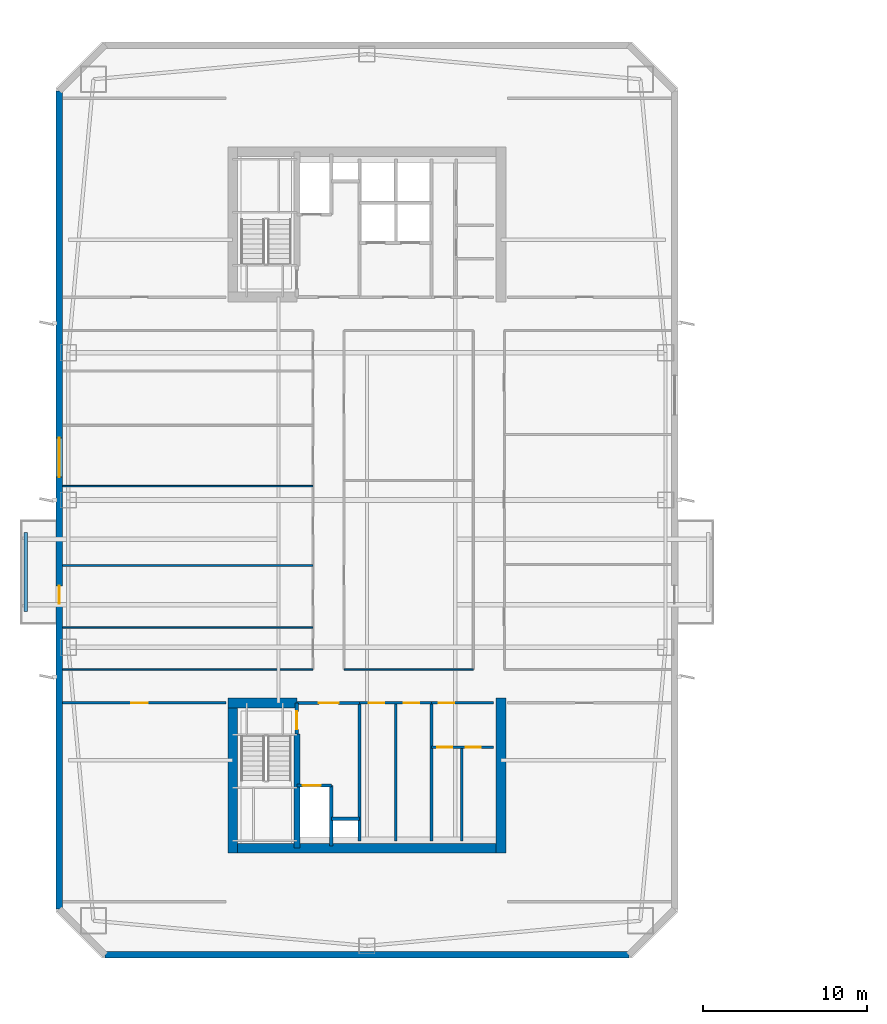
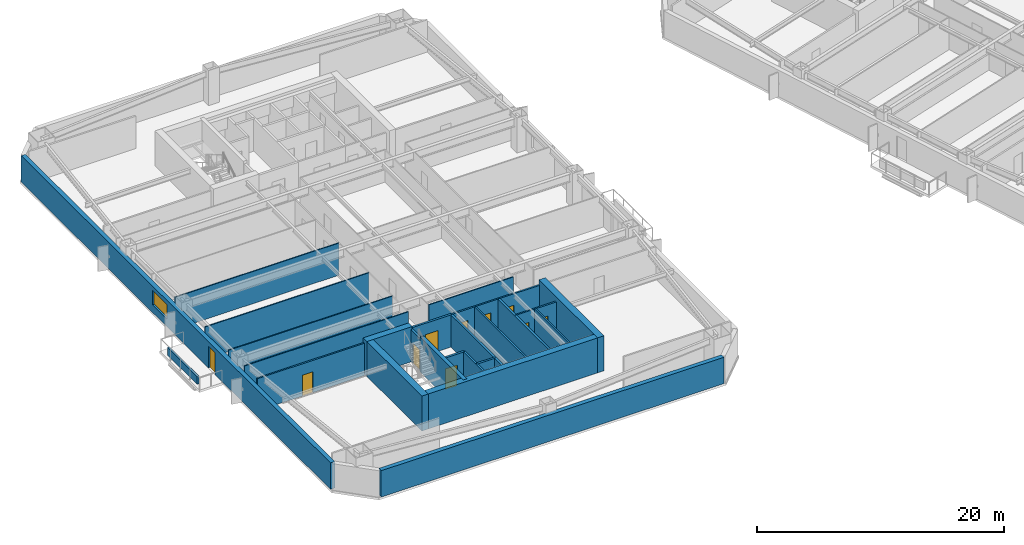
# One storey, part 4 of 16: 26 walls, 10 doors, 1 window, 11 openings.
"""IFC4 building model written with IfcOpenShell, lengths in metres."""

from ifc_helpers import new_model, si_unit, direction, frame, frame_2d, origin, place, context, subcontext, project, spatial, rectangle, extrude, material, layer, layer_set, type_object, element, fill, save


model = new_model("IFC4")

# Units and contexts
model_context = context("Model", 3, precision=1e-05, world=origin(), true_north=direction((0.0, 1.0)))
body_context = subcontext(model_context, "Body", "Model", "MODEL_VIEW")
ifc_project = project(units=[si_unit("LENGTHUNIT", "METRE"), si_unit("AREAUNIT", "SQUARE_METRE"), si_unit("VOLUMEUNIT", "CUBIC_METRE"), si_unit("PLANEANGLEUNIT", "RADIAN"), si_unit("MASSUNIT", "GRAM", prefix="KILO")], contexts=[model_context])

# Site, building, storey
site_placement = place(None, origin())
site = spatial("IfcSite", under=ifc_project, at=site_placement, CompositionType="ELEMENT")
building_placement = place(site_placement, origin())
building = spatial("IfcBuilding", under=site, at=building_placement, Name="Qiaolan Cultural Towers", CompositionType="ELEMENT")
storey_placement = place(building_placement, frame((0.0, 0.0, 110.39990234375)))
storey = spatial("IfcBuildingStorey", under=building, at=storey_placement, Name="L28", CompositionType="ELEMENT", Elevation=110.39990234375)

# Walls
ifc_material_1 = material(Name="Concrete C50", Category="concrete")
ifc_layer_1 = layer(ifc_material_1, 0.35009765625)
ifc_layer_set_1 = layer_set([ifc_layer_1], Name="Concrete C50")
wall_type_1 = type_object("IfcWallType", Name="WL-CORE-350", PredefinedType="SHEAR", material=ifc_layer_set_1)
wall_1_placement = place(storey_placement, frame((25.719970703125, 19.699951171875, 0.0), z_axis=(0.0, 0.0, 1.0), x_axis=(0.0, -1.0, 0.0)))
element("IfcWall", 1, at=wall_1_placement, inside=storey, type_object=wall_type_1, Name="L28 T1-CS Stair Core Dividing Web", PredefinedType="SHEAR", context=body_context, shape_type="SweptSolid", body=[
    extrude(rectangle(XDim=6.97998046875, YDim=0.35009765625, at=frame_2d((3.489990234375, 0.0))), origin(), (0.0, 0.0, 1.0), 3.4501953125),
])
ifc_material_2 = material(Name="Concrete C55", Category="concrete")
ifc_layer_2 = layer(ifc_material_2, 0.60009765625)
ifc_layer_set_2 = layer_set([ifc_layer_2], Name="Concrete C55")
wall_type_2 = type_object("IfcWallType", Name="WL-CORE-600", PredefinedType="SHEAR", material=ifc_layer_set_2)
wall_2_placement = place(storey_placement, frame((21.5, 12.719970703125, 0.0), z_axis=(0.0, 0.0, 1.0), x_axis=(1.0, 0.0, 0.0)))
element("IfcWall", 2, at=wall_2_placement, inside=storey, type_object=wall_type_2, Name="L28 T1-CS Outer Core Shear Wall", PredefinedType="SHEAR", context=body_context, shape_type="SweptSolid", body=[
    extrude(rectangle(XDim=17.0, YDim=0.60009765625, at=frame_2d((8.5, 0.0))), origin(), (0.0, 0.0, 1.0), 3.4501953125),
])
for number, where, z_axis, x_axis, name in (
    (3, (21.800048828125, 21.89990234375, 0.0), (0.0, 0.0, 1.0), (0.0, -1.0, 0.0), "L28 T1-CS West Core Shear Wall"),
    (4, (38.199951171875, 21.89990234375, 0.0), (0.0, 0.0, 1.0), (0.0, -1.0, 0.0), "L28 T1-CS East Core Shear Wall"),
):
    element("IfcWall", number, at=place(storey_placement, frame(where, z_axis=z_axis, x_axis=x_axis)), inside=storey, type_object=wall_type_2, Name=name, PredefinedType="SHEAR", context=body_context, shape_type="SweptSolid", body=[
        extrude(rectangle(XDim=9.47998046875, YDim=0.60009765625, at=frame_2d((4.739990234375, 0.0))), origin(), (0.0, 0.0, 1.0), 3.4501953125),
    ])
wall_3_placement = place(storey_placement, frame((21.5, 21.60009765625, 0.0), z_axis=(0.0, 0.0, 1.0), x_axis=(1.0, 0.0, 0.0)))
element("IfcWall", 5, at=wall_3_placement, inside=storey, type_object=wall_type_2, Name="L28 T1-CS Stair Front Shear Wall", PredefinedType="SHEAR", context=body_context, shape_type="SweptSolid", body=[
    extrude(rectangle(XDim=4.219970703125, YDim=0.60009765625, at=frame_2d((2.10986328125, 0.0))), origin(), (0.0, 0.0, 1.0), 3.4501953125),
])

# Wall, openings, door, window
ifc_material_3 = material(Name="Precast Concrete C50 Honed Stone Pier", Category="masonry")
ifc_layer_3 = layer(ifc_material_3, 0.39990234375)
ifc_layer_set_3 = layer_set([ifc_layer_3], Name="Precast Concrete C50 Honed Stone Pier")
wall_type_3 = type_object("IfcWallType", Name="WL-EXT-PIER-400", PredefinedType="SOLIDWALL", material=ifc_layer_set_3)
wall_4_placement = place(storey_placement, frame((11.199951171875, 9.0, 0.0), z_axis=(0.0, 0.0, 1.0), x_axis=(0.0, 1.0, 0.0)))
wall_4 = element("IfcWall", 6, at=wall_4_placement, inside=storey, type_object=wall_type_3, Name="L28 West Tower Precast Pier Facade Wall F1", PredefinedType="SOLIDWALL", context=body_context, shape_type="SweptSolid", body=[
    extrude(rectangle(XDim=50.0, YDim=0.39990234375, at=frame_2d((25.0, 0.0))), origin(), (0.0, 0.0, 1.0), 2.610107421875),
])
opening_1_placement = place(wall_4_placement, frame((26.39990234375, 0.0, 0.75)))
opening_1 = element("IfcOpeningElement", 7, at=opening_1_placement, cuts=wall_4, Name="Opening W-02", PredefinedType="OPENING", context=body_context, shape_type="SweptSolid", body=[
    extrude(rectangle(XDim=2.39990234375, YDim=1.4599609375, at=frame_2d((1.199951171875, 0.72998046875))), frame((0.0, 0.2099609375, 0.0), z_axis=(0.0, -1.0, 0.0), x_axis=(1.0, 0.0, 0.0)), (0.0, 0.0, 1.0), 0.419921875),
])
opening_2_placement = place(wall_4_placement, frame((18.64990234375, 0.0, 0.0)))
opening_2 = element("IfcOpeningElement", 8, at=opening_2_placement, cuts=wall_4, Name="Opening BD-01", PredefinedType="OPENING", context=body_context, shape_type="SweptSolid", body=[
    extrude(rectangle(XDim=1.10009765625, YDim=2.14990234375, at=frame_2d((0.550048828125, 1.074951171875))), frame((0.0, 0.2099609375, 0.0), z_axis=(0.0, -1.0, 0.0), x_axis=(1.0, 0.0, 0.0)), (0.0, 0.0, 1.0), 0.419921875),
])
ifc_material_4 = material(Name="Thermally Broken Aluminium Glazed Terrace Door", Category="aluminium")
door_type_1 = type_object("IfcDoorType", Name="DR-BAL-1100", OperationType="NOTDEFINED", PredefinedType="DOOR", material=ifc_material_4)
door_1_placement = place(opening_2_placement, origin())
door_1 = element("IfcDoor", 9, at=door_1_placement, inside=storey, type_object=door_type_1, Name="L28 T1 West Tree Balcony Door", OperationType="SINGLE_SWING_LEFT", OverallHeight=2.14990234375, OverallWidth=1.10009765625, PredefinedType="DOOR", context=body_context, shape_type="SweptSolid", body=[
    extrude(rectangle(XDim=1.10009765625, YDim=2.14990234375, at=frame_2d((0.550048828125, 1.074951171875))), frame((0.0, 0.02490234375, 0.0), z_axis=(0.0, -1.0, 0.0), x_axis=(1.0, 0.0, 0.0)), (0.0, 0.0, 1.0), 0.050048828125),
])
fill(opening_2, door_1)
ifc_material_5 = material(Name="Thermally Broken Aluminium Triple Low-E Glazing", Category="aluminium")
window_type = type_object("IfcWindowType", Name="WN-CHIC-2400", PartitioningType="SINGLE_PANEL", PredefinedType="WINDOW", material=ifc_material_5)
window_placement = place(opening_1_placement, origin())
window = element("IfcWindow", 10, at=window_placement, inside=storey, type_object=window_type, Name="L28 T1 W Chicago Bay Window 1", OverallHeight=1.4599609375, OverallWidth=2.39990234375, PartitioningType="TRIPLE_PANEL_VERTICAL", PredefinedType="WINDOW", context=body_context, shape_type="SweptSolid", body=[
    extrude(rectangle(XDim=2.39990234375, YDim=1.4599609375, at=frame_2d((1.199951171875, 0.72998046875))), frame((0.0, 0.030029296875, 0.0), z_axis=(0.0, -1.0, 0.0), x_axis=(1.0, 0.0, 0.0)), (0.0, 0.0, 1.0), 0.06005859375),
])
fill(opening_1, window)

# Wall
wall_5_placement = place(storey_placement, frame((46.0, 6.199951171875, 0.0), z_axis=(0.0, 0.0, 1.0), x_axis=(-1.0, 0.0, 0.0)))
element("IfcWall", 11, at=wall_5_placement, inside=storey, type_object=wall_type_3, Name="L28 West Tower Precast Pier Facade Wall F7", PredefinedType="SOLIDWALL", context=body_context, shape_type="SweptSolid", body=[
    extrude(rectangle(XDim=32.0, YDim=0.39990234375, at=frame_2d((16.0, 0.0))), origin(), (0.0, 0.0, 1.0), 2.610107421875),
])

# Wall, opening, door
ifc_material_6 = material(Name="Concrete C35 Fire Wall", Category="concrete")
ifc_layer_4 = layer(ifc_material_6, 0.199951171875)
ifc_layer_set_4 = layer_set([ifc_layer_4], Name="Concrete C35 Fire Wall")
wall_type_4 = type_object("IfcWallType", Name="WL-FIRE-200", PredefinedType="PARTITIONING", material=ifc_layer_set_4)
wall_6_placement = place(storey_placement, frame((25.719970703125, 21.60009765625, 0.0), z_axis=(0.0, 0.0, 1.0), x_axis=(0.0, -1.0, 0.0)))
wall_6 = element("IfcWall", 12, at=wall_6_placement, inside=storey, type_object=wall_type_4, Name="L28 T1-CS Smokeproof Stair Entry Wall", PredefinedType="PARTITIONING", context=body_context, shape_type="SweptSolid", body=[
    extrude(rectangle(XDim=1.900146484375, YDim=0.199951171875, at=frame_2d((0.9501953125, 0.0))), origin(), (0.0, 0.0, 1.0), 3.175048828125),
])
opening_3_placement = place(wall_6_placement, frame((0.52001953125, 0.0, 0.0)))
opening_3 = element("IfcOpeningElement", 13, at=opening_3_placement, cuts=wall_6, Name="Opening FD-04", PredefinedType="OPENING", context=body_context, shape_type="SweptSolid", body=[
    extrude(rectangle(XDim=1.10009765625, YDim=2.050048828125, at=frame_2d((0.550048828125, 1.02490234375))), frame((0.0, 0.10986328125, 0.0), z_axis=(0.0, -1.0, 0.0), x_axis=(1.0, 0.0, 0.0)), (0.0, 0.0, 1.0), 0.219970703125),
])
ifc_material_7 = material(Name="Galvanized Steel Command Fire Door", Category="steel")
door_type_2 = type_object("IfcDoorType", Name="DR-FD90-1100", OperationType="NOTDEFINED", PredefinedType="DOOR", material=ifc_material_7)
door_2_placement = place(opening_3_placement, origin())
door_2 = element("IfcDoor", 14, at=door_2_placement, inside=storey, type_object=door_type_2, Name="L28 ST-W1 Smokeproof Stair Fire Door", OperationType="SINGLE_SWING_LEFT", OverallHeight=2.050048828125, OverallWidth=1.10009765625, PredefinedType="DOOR", context=body_context, shape_type="SweptSolid", body=[
    extrude(rectangle(XDim=1.10009765625, YDim=2.050048828125, at=frame_2d((0.550048828125, 1.02490234375))), frame((0.0, 0.02490234375, 0.0), z_axis=(0.0, -1.0, 0.0), x_axis=(1.0, 0.0, 0.0)), (0.0, 0.0, 1.0), 0.050048828125),
])
fill(opening_3, door_2)

# Wall
wall_7_placement = place(storey_placement, frame((29.550048828125, 21.60009765625, 0.0), z_axis=(0.0, 0.0, 1.0), x_axis=(0.0, -1.0, 0.0)))
element("IfcWall", 15, at=wall_7_placement, inside=storey, type_object=wall_type_4, Name="L28 T1-CS Firefighting Zone Wall", PredefinedType="PARTITIONING", context=body_context, shape_type="SweptSolid", body=[
    extrude(rectangle(XDim=8.43017578125, YDim=0.199951171875, at=frame_2d((4.215087890625, 0.0))), origin(), (0.0, 0.0, 1.0), 3.175048828125),
])

# Wall, opening, door
wall_8_placement = place(storey_placement, frame((25.719970703125, 21.60009765625, 0.0), z_axis=(0.0, 0.0, 1.0), x_axis=(1.0, 0.0, 0.0)))
wall_8 = element("IfcWall", 16, at=wall_8_placement, inside=storey, type_object=wall_type_4, Name="L28 T1-CS Firefighting Lobby Front Wall", PredefinedType="PARTITIONING", context=body_context, shape_type="SweptSolid", body=[
    extrude(rectangle(XDim=3.830078125, YDim=0.199951171875, at=frame_2d((1.9150390625, 0.0))), origin(), (0.0, 0.0, 1.0), 3.175048828125),
])
opening_4_placement = place(wall_8_placement, frame((1.35009765625, 0.0, 0.0)))
opening_4 = element("IfcOpeningElement", 17, at=opening_4_placement, cuts=wall_8, Name="Opening FD-03", PredefinedType="OPENING", context=body_context, shape_type="SweptSolid", body=[
    extrude(rectangle(XDim=1.199951171875, YDim=2.050048828125, at=frame_2d((0.60009765625, 1.02490234375))), frame((0.0, 0.10986328125, 0.0), z_axis=(0.0, -1.0, 0.0), x_axis=(1.0, 0.0, 0.0)), (0.0, 0.0, 1.0), 0.219970703125),
])
ifc_material_8 = material(Name="Galvanized Steel Smokeproof Lobby Fire Door", Category="steel")
door_type_3 = type_object("IfcDoorType", Name="DR-FD90-1200", OperationType="NOTDEFINED", PredefinedType="DOOR", material=ifc_material_8)
door_3_placement = place(opening_4_placement, origin())
door_3 = element("IfcDoor", 18, at=door_3_placement, inside=storey, type_object=door_type_3, Name="L28 FFL-W1 Firefighting Lobby Fire Door", OperationType="SINGLE_SWING_LEFT", OverallHeight=2.050048828125, OverallWidth=1.199951171875, PredefinedType="DOOR", context=body_context, shape_type="SweptSolid", body=[
    extrude(rectangle(XDim=1.199951171875, YDim=2.050048828125, at=frame_2d((0.60009765625, 1.02490234375))), frame((0.0, 0.02490234375, 0.0), z_axis=(0.0, -1.0, 0.0), x_axis=(1.0, 0.0, 0.0)), (0.0, 0.0, 1.0), 0.050048828125),
])
fill(opening_4, door_3)

wall_9_placement = place(storey_placement, frame((25.719970703125, 16.550048828125, 0.0), z_axis=(0.0, 0.0, 1.0), x_axis=(1.0, 0.0, 0.0)))
wall_9 = element("IfcWall", 19, at=wall_9_placement, inside=storey, type_object=wall_type_4, Name="L28 T1-CS Firefighting Shaft Front Wall", PredefinedType="PARTITIONING", context=body_context, shape_type="SweptSolid", body=[
    extrude(rectangle(XDim=2.10009765625, YDim=0.199951171875, at=frame_2d((1.050048828125, 0.0))), origin(), (0.0, 0.0, 1.0), 3.175048828125),
])
opening_5_placement = place(wall_9_placement, frame((0.35009765625, 0.0, 0.0)))
opening_5 = element("IfcOpeningElement", 20, at=opening_5_placement, cuts=wall_9, Name="Opening LD-01", PredefinedType="OPENING", context=body_context, shape_type="SweptSolid", body=[
    extrude(rectangle(XDim=1.10009765625, YDim=2.050048828125, at=frame_2d((0.550048828125, 1.02490234375))), frame((0.0, 0.10986328125, 0.0), z_axis=(0.0, -1.0, 0.0), x_axis=(1.0, 0.0, 0.0)), (0.0, 0.0, 1.0), 0.219970703125),
])
ifc_material_9 = material(Name="Brushed Stainless Steel S30408 Centre-Parting Lift Landing Door", Category="steel")
door_type_4 = type_object("IfcDoorType", Name="DR-LIFT-1100", OperationType="NOTDEFINED", PredefinedType="DOOR", material=ifc_material_9)
door_4_placement = place(opening_5_placement, origin())
door_4 = element("IfcDoor", 21, at=door_4_placement, inside=storey, type_object=door_type_4, Name="L28 FFL-W1 Firefighting Lift Landing Door", OperationType="DOUBLE_DOOR_SLIDING", OverallHeight=2.050048828125, OverallWidth=1.10009765625, PredefinedType="DOOR", context=body_context, shape_type="SweptSolid", body=[
    extrude(rectangle(XDim=1.10009765625, YDim=2.050048828125, at=frame_2d((0.550048828125, 1.02490234375))), frame((0.0, 0.02490234375, 0.0), z_axis=(0.0, -1.0, 0.0), x_axis=(1.0, 0.0, 0.0)), (0.0, 0.0, 1.0), 0.050048828125),
])
fill(opening_5, door_4)

# Walls
wall_10_placement = place(storey_placement, frame((27.820068359375, 16.550048828125, 0.0), z_axis=(0.0, 0.0, 1.0), x_axis=(0.0, -1.0, 0.0)))
element("IfcWall", 22, at=wall_10_placement, inside=storey, type_object=wall_type_4, Name="L28 T1-CS Firefighting Hoistway East Wall", PredefinedType="PARTITIONING", context=body_context, shape_type="SweptSolid", body=[
    extrude(rectangle(XDim=3.699951171875, YDim=0.199951171875, at=frame_2d((1.85009765625, 0.0))), origin(), (0.0, 0.0, 1.0), 3.175048828125),
])
wall_11_placement = place(storey_placement, frame((27.820068359375, 14.52001953125, 0.0), z_axis=(0.0, 0.0, 1.0), x_axis=(1.0, 0.0, 0.0)))
element("IfcWall", 23, at=wall_11_placement, inside=storey, type_object=wall_type_4, Name="L28 T1-CS Pressurization Shaft Front Wall", PredefinedType="PARTITIONING", context=body_context, shape_type="SweptSolid", body=[
    extrude(rectangle(XDim=1.72998046875, YDim=0.199951171875, at=frame_2d((0.864990234375, 0.0))), origin(), (0.0, 0.0, 1.0), 3.175048828125),
])
wall_12_placement = place(storey_placement, frame((33.949951171875, 21.60009765625, 0.0), z_axis=(0.0, 0.0, 1.0), x_axis=(0.0, -1.0, 0.0)))
element("IfcWall", 24, at=wall_12_placement, inside=storey, type_object=wall_type_4, Name="L28 T1-CS Lift Core East Wall", PredefinedType="PARTITIONING", context=body_context, shape_type="SweptSolid", body=[
    extrude(rectangle(XDim=8.43017578125, YDim=0.199951171875, at=frame_2d((4.215087890625, 0.0))), origin(), (0.0, 0.0, 1.0), 3.175048828125),
])
ifc_material_10 = material(Name="Acoustic Double-Glazed Partition Frame", Category="glass")
ifc_layer_5 = layer(ifc_material_10, 0.10009765625)
ifc_layer_set_5 = layer_set([ifc_layer_5], Name="Acoustic Double-Glazed Partition Frame")
wall_type_5 = type_object("IfcWallType", Name="WL-GLAZED-100", PredefinedType="MOVABLE", material=ifc_layer_set_5)
wall_13_placement = place(storey_placement, frame((11.39990234375, 23.64990234375, 0.0), z_axis=(0.0, 0.0, 1.0), x_axis=(1.0, 0.0, 0.0)))
element("IfcWall", 25, at=wall_13_placement, inside=storey, type_object=wall_type_5, Name="L28 T1 Interior Wall", PredefinedType="MOVABLE", context=body_context, shape_type="SweptSolid", body=[
    extrude(rectangle(XDim=15.300048828125, YDim=0.10009765625, at=frame_2d((7.64990234375, 0.0))), origin(), (0.0, 0.0, 1.0), 3.175048828125),
])
wall_14_placement = place(storey_placement, frame((28.60009765625, 23.64990234375, 0.0), z_axis=(0.0, 0.0, 1.0), x_axis=(1.0, 0.0, 0.0)))
element("IfcWall", 26, at=wall_14_placement, inside=storey, type_object=wall_type_5, Name="L28 T1 Interior Wall", PredefinedType="MOVABLE", context=body_context, shape_type="SweptSolid", body=[
    extrude(rectangle(XDim=7.89990234375, YDim=0.10009765625, at=frame_2d((3.949951171875, 0.0))), origin(), (0.0, 0.0, 1.0), 3.175048828125),
])
for number, where, z_axis, x_axis, name in (
    (27, (11.39990234375, 26.199951171875, 0.0), (0.0, 0.0, 1.0), (1.0, 0.0, 0.0), "L28 T1 Interior Wall"),
    (28, (11.39990234375, 30.0, 0.0), (0.0, 0.0, 1.0), (1.0, 0.0, 0.0), "L28 T1 Interior Wall"),
    (29, (11.39990234375, 34.845947265625, 0.0), (0.0, 0.0, 1.0), (1.0, 0.0, 0.0), "L28 T1 Interior Wall"),
):
    element("IfcWall", number, at=place(storey_placement, frame(where, z_axis=z_axis, x_axis=x_axis)), inside=storey, type_object=wall_type_5, Name=name, PredefinedType="MOVABLE", context=body_context, shape_type="SweptSolid", body=[
        extrude(rectangle(XDim=15.300048828125, YDim=0.10009765625, at=frame_2d((7.64990234375, 0.0))), origin(), (0.0, 0.0, 1.0), 3.175048828125),
    ])

# Wall, openings, doors
ifc_material_11 = material(Name="Autoclaved Aerated Concrete Block B06", Category="concrete")
ifc_layer_6 = layer(ifc_material_11, 0.14990234375)
ifc_layer_set_6 = layer_set([ifc_layer_6], Name="Autoclaved Aerated Concrete Block B06")
wall_type_6 = type_object("IfcWallType", Name="WL-PART-150", PredefinedType="PARTITIONING", material=ifc_layer_set_6)
wall_15_placement = place(storey_placement, frame((29.550048828125, 21.60009765625, 0.0), z_axis=(0.0, 0.0, 1.0), x_axis=(1.0, 0.0, 0.0)))
wall_15 = element("IfcWall", 30, at=wall_15_placement, inside=storey, type_object=wall_type_6, Name="L28 T1-CS Reclaimed Core Room Front Wall", PredefinedType="PARTITIONING", context=body_context, shape_type="SweptSolid", body=[
    extrude(rectangle(XDim=4.39990234375, YDim=0.14990234375, at=frame_2d((2.199951171875, 0.0))), origin(), (0.0, 0.0, 1.0), 3.175048828125),
])
opening_6_placement = place(wall_15_placement, frame((0.550048828125, 0.0, 0.0)))
opening_6 = element("IfcOpeningElement", 31, at=opening_6_placement, cuts=wall_15, Name="Opening ID-05", PredefinedType="OPENING", context=body_context, shape_type="SweptSolid", body=[
    extrude(rectangle(XDim=0.949951171875, YDim=2.050048828125, at=frame_2d((0.47509765625, 1.02490234375))), frame((0.0, 0.0849609375, 0.0), z_axis=(0.0, -1.0, 0.0), x_axis=(1.0, 0.0, 0.0)), (0.0, 0.0, 1.0), 0.169921875),
])
opening_7_placement = place(wall_15_placement, frame((2.699951171875, 0.0, 0.0)))
opening_7 = element("IfcOpeningElement", 32, at=opening_7_placement, cuts=wall_15, Name="Opening ID-05", PredefinedType="OPENING", context=body_context, shape_type="SweptSolid", body=[
    extrude(rectangle(XDim=0.949951171875, YDim=2.050048828125, at=frame_2d((0.47509765625, 1.02490234375))), frame((0.0, 0.0849609375, 0.0), z_axis=(0.0, -1.0, 0.0), x_axis=(1.0, 0.0, 0.0)), (0.0, 0.0, 1.0), 0.169921875),
])
ifc_material_12 = material(Name="Fire-Rated Laminate Accessible Core Door", Category="timber")
door_type_5 = type_object("IfcDoorType", Name="DR-INT-950", OperationType="NOTDEFINED", PredefinedType="DOOR", material=ifc_material_12)
door_5_placement = place(opening_6_placement, origin())
door_5 = element("IfcDoor", 33, at=door_5_placement, inside=storey, type_object=door_type_5, Name="L28 Copy Print Room Door", OperationType="SINGLE_SWING_LEFT", OverallHeight=2.050048828125, OverallWidth=0.949951171875, PredefinedType="DOOR", context=body_context, shape_type="SweptSolid", body=[
    extrude(rectangle(XDim=0.949951171875, YDim=2.050048828125, at=frame_2d((0.47509765625, 1.02490234375))), frame((0.0, 0.02490234375, 0.0), z_axis=(0.0, -1.0, 0.0), x_axis=(1.0, 0.0, 0.0)), (0.0, 0.0, 1.0), 0.050048828125),
])
fill(opening_6, door_5)
door_6_placement = place(opening_7_placement, origin())
door_6 = element("IfcDoor", 34, at=door_6_placement, inside=storey, type_object=door_type_5, Name="L28 Tea Pantry Room Door", OperationType="SINGLE_SWING_RIGHT", OverallHeight=2.050048828125, OverallWidth=0.949951171875, PredefinedType="DOOR", context=body_context, shape_type="SweptSolid", body=[
    extrude(rectangle(XDim=0.949951171875, YDim=2.050048828125, at=frame_2d((0.47509765625, 1.02490234375))), frame((0.0, 0.02490234375, 0.0), z_axis=(0.0, -1.0, 0.0), x_axis=(1.0, 0.0, 0.0)), (0.0, 0.0, 1.0), 0.050048828125),
])
fill(opening_7, door_6)

# Wall
wall_16_placement = place(storey_placement, frame((31.75, 21.60009765625, 0.0), z_axis=(0.0, 0.0, 1.0), x_axis=(0.0, -1.0, 0.0)))
element("IfcWall", 35, at=wall_16_placement, inside=storey, type_object=wall_type_6, Name="L28 T1-CS Reclaimed Twin Room Wall", PredefinedType="PARTITIONING", context=body_context, shape_type="SweptSolid", body=[
    extrude(rectangle(XDim=8.43017578125, YDim=0.14990234375, at=frame_2d((4.215087890625, 0.0))), origin(), (0.0, 0.0, 1.0), 3.175048828125),
])

# Wall, opening, door
wall_17_placement = place(storey_placement, frame((33.949951171875, 21.60009765625, 0.0), z_axis=(0.0, 0.0, 1.0), x_axis=(1.0, 0.0, 0.0)))
wall_17 = element("IfcWall", 36, at=wall_17_placement, inside=storey, type_object=wall_type_6, Name="L28 T1-CS Sanitary Core Front Wall", PredefinedType="PARTITIONING", context=body_context, shape_type="SweptSolid", body=[
    extrude(rectangle(XDim=3.800048828125, YDim=0.14990234375, at=frame_2d((1.89990234375, 0.0))), origin(), (0.0, 0.0, 1.0), 3.175048828125),
])
opening_8_placement = place(wall_17_placement, frame((0.449951171875, 0.0, 0.0)))
opening_8 = element("IfcOpeningElement", 37, at=opening_8_placement, cuts=wall_17, Name="Opening ID-05", PredefinedType="OPENING", context=body_context, shape_type="SweptSolid", body=[
    extrude(rectangle(XDim=0.949951171875, YDim=2.050048828125, at=frame_2d((0.47509765625, 1.02490234375))), frame((0.0, 0.0849609375, 0.0), z_axis=(0.0, -1.0, 0.0), x_axis=(1.0, 0.0, 0.0)), (0.0, 0.0, 1.0), 0.169921875),
])
door_7_placement = place(opening_8_placement, origin())
door_7 = element("IfcDoor", 38, at=door_7_placement, inside=storey, type_object=door_type_5, Name="L28 Sanitary Vestibule Door", OperationType="SINGLE_SWING_LEFT", OverallHeight=2.050048828125, OverallWidth=0.949951171875, PredefinedType="DOOR", context=body_context, shape_type="SweptSolid", body=[
    extrude(rectangle(XDim=0.949951171875, YDim=2.050048828125, at=frame_2d((0.47509765625, 1.02490234375))), frame((0.0, 0.02490234375, 0.0), z_axis=(0.0, -1.0, 0.0), x_axis=(1.0, 0.0, 0.0)), (0.0, 0.0, 1.0), 0.050048828125),
])
fill(opening_8, door_7)

# Wall, openings, doors
wall_18_placement = place(storey_placement, frame((33.949951171875, 18.89990234375, 0.0), z_axis=(0.0, 0.0, 1.0), x_axis=(1.0, 0.0, 0.0)))
wall_18 = element("IfcWall", 39, at=wall_18_placement, inside=storey, type_object=wall_type_6, Name="L28 T1-CS Restroom Vestibule Wall", PredefinedType="PARTITIONING", context=body_context, shape_type="SweptSolid", body=[
    extrude(rectangle(XDim=3.800048828125, YDim=0.14990234375, at=frame_2d((1.89990234375, 0.0))), origin(), (0.0, 0.0, 1.0), 3.175048828125),
])
opening_9_placement = place(wall_18_placement, frame((0.35009765625, 0.0, 0.0)))
opening_9 = element("IfcOpeningElement", 40, at=opening_9_placement, cuts=wall_18, Name="Opening ID-06", PredefinedType="OPENING", context=body_context, shape_type="SweptSolid", body=[
    extrude(rectangle(XDim=0.89990234375, YDim=2.050048828125, at=frame_2d((0.449951171875, 1.02490234375))), frame((0.0, 0.0849609375, 0.0), z_axis=(0.0, -1.0, 0.0), x_axis=(1.0, 0.0, 0.0)), (0.0, 0.0, 1.0), 0.169921875),
])
opening_10_placement = place(wall_18_placement, frame((2.10009765625, 0.0, 0.0)))
opening_10 = element("IfcOpeningElement", 41, at=opening_10_placement, cuts=wall_18, Name="Opening ID-06", PredefinedType="OPENING", context=body_context, shape_type="SweptSolid", body=[
    extrude(rectangle(XDim=0.89990234375, YDim=2.050048828125, at=frame_2d((0.449951171875, 1.02490234375))), frame((0.0, 0.0849609375, 0.0), z_axis=(0.0, -1.0, 0.0), x_axis=(1.0, 0.0, 0.0)), (0.0, 0.0, 1.0), 0.169921875),
])
ifc_material_13 = material(Name="Fire-Rated Laminate Core Service Door", Category="timber")
door_type_6 = type_object("IfcDoorType", Name="DR-INT-900", OperationType="NOTDEFINED", PredefinedType="DOOR", material=ifc_material_13)
door_8_placement = place(opening_9_placement, origin())
door_8 = element("IfcDoor", 42, at=door_8_placement, inside=storey, type_object=door_type_6, Name="L28 Men Restroom Door", OperationType="SINGLE_SWING_LEFT", OverallHeight=2.050048828125, OverallWidth=0.89990234375, PredefinedType="DOOR", context=body_context, shape_type="SweptSolid", body=[
    extrude(rectangle(XDim=0.89990234375, YDim=2.050048828125, at=frame_2d((0.449951171875, 1.02490234375))), frame((0.0, 0.02490234375, 0.0), z_axis=(0.0, -1.0, 0.0), x_axis=(1.0, 0.0, 0.0)), (0.0, 0.0, 1.0), 0.050048828125),
])
fill(opening_9, door_8)
door_9_placement = place(opening_10_placement, origin())
door_9 = element("IfcDoor", 43, at=door_9_placement, inside=storey, type_object=door_type_6, Name="L28 Accessible & Women Restroom Door", OperationType="SINGLE_SWING_RIGHT", OverallHeight=2.050048828125, OverallWidth=0.89990234375, PredefinedType="DOOR", context=body_context, shape_type="SweptSolid", body=[
    extrude(rectangle(XDim=0.89990234375, YDim=2.050048828125, at=frame_2d((0.449951171875, 1.02490234375))), frame((0.0, 0.02490234375, 0.0), z_axis=(0.0, -1.0, 0.0), x_axis=(1.0, 0.0, 0.0)), (0.0, 0.0, 1.0), 0.050048828125),
])
fill(opening_10, door_9)

# Wall
wall_19_placement = place(storey_placement, frame((35.800048828125, 18.89990234375, 0.0), z_axis=(0.0, 0.0, 1.0), x_axis=(0.0, -1.0, 0.0)))
element("IfcWall", 44, at=wall_19_placement, inside=storey, type_object=wall_type_6, Name="L28 T1-CS Restroom Divider Wall", PredefinedType="PARTITIONING", context=body_context, shape_type="SweptSolid", body=[
    extrude(rectangle(XDim=5.72998046875, YDim=0.14990234375, at=frame_2d((2.864990234375, 0.0))), origin(), (0.0, 0.0, 1.0), 3.175048828125),
])

# Wall, opening, door
wall_20_placement = place(storey_placement, frame((11.39990234375, 21.60009765625, 0.0), z_axis=(0.0, 0.0, 1.0), x_axis=(1.0, 0.0, 0.0)))
wall_20 = element("IfcWall", 45, at=wall_20_placement, inside=storey, type_object=wall_type_6, Name="L28 T1 Flank Front FLK-SW", PredefinedType="PARTITIONING", context=body_context, shape_type="SweptSolid", body=[
    extrude(rectangle(XDim=10.0, YDim=0.14990234375, at=frame_2d((5.0, 0.0))), origin(), (0.0, 0.0, 1.0), 3.175048828125),
])
opening_11_placement = place(wall_20_placement, frame((4.199951171875, 0.0, 0.0)))
opening_11 = element("IfcOpeningElement", 46, at=opening_11_placement, cuts=wall_20, Name="Opening ID-04", PredefinedType="OPENING", context=body_context, shape_type="SweptSolid", body=[
    extrude(rectangle(XDim=1.0, YDim=2.050048828125, at=frame_2d((0.5, 1.02490234375))), frame((0.0, 0.0849609375, 0.0), z_axis=(0.0, -1.0, 0.0), x_axis=(1.0, 0.0, 0.0)), (0.0, 0.0, 1.0), 0.169921875),
])
ifc_material_14 = material(Name="Oak Veneer Acoustic Office Door", Category="timber")
door_type_7 = type_object("IfcDoorType", Name="DR-INT-1000", OperationType="NOTDEFINED", PredefinedType="DOOR", material=ifc_material_14)
door_10_placement = place(opening_11_placement, origin())
door_10 = element("IfcDoor", 47, at=door_10_placement, inside=storey, type_object=door_type_7, Name="L28 T1 Corner Studio Door", OperationType="SINGLE_SWING_LEFT", OverallHeight=2.050048828125, OverallWidth=1.0, PredefinedType="DOOR", context=body_context, shape_type="SweptSolid", body=[
    extrude(rectangle(XDim=1.0, YDim=2.050048828125, at=frame_2d((0.5, 1.02490234375))), frame((0.0, 0.02490234375, 0.0), z_axis=(0.0, -1.0, 0.0), x_axis=(1.0, 0.0, 0.0)), (0.0, 0.0, 1.0), 0.050048828125),
])
fill(opening_11, door_10)

# Wall
ifc_material_15 = material(Name="Precast Concrete C45 Tree Planter Upstand", Category="concrete")
ifc_layer_7 = layer(ifc_material_15, 0.199951171875)
ifc_layer_set_7 = layer_set([ifc_layer_7], Name="Precast Concrete C45 Tree Planter Upstand")
wall_type_7 = type_object("IfcWallType", Name="WL-PLANTER-200", PredefinedType="PARAPET", material=ifc_layer_set_7)
wall_21_placement = place(storey_placement, frame((9.14990234375, 27.199951171875, 0.0), z_axis=(0.0, 0.0, 1.0), x_axis=(0.0, 1.0, 0.0)))
element("IfcWall", 48, at=wall_21_placement, inside=storey, type_object=wall_type_7, Name="L28 T1 Tree Balcony Soil Planter Box W", PredefinedType="PARAPET", context=body_context, shape_type="SweptSolid", body=[
    extrude(rectangle(XDim=4.800048828125, YDim=0.199951171875, at=frame_2d((2.39990234375, 0.0))), origin(), (0.0, 0.0, 1.0), 0.75),
])

save(model, "model.ifc")
